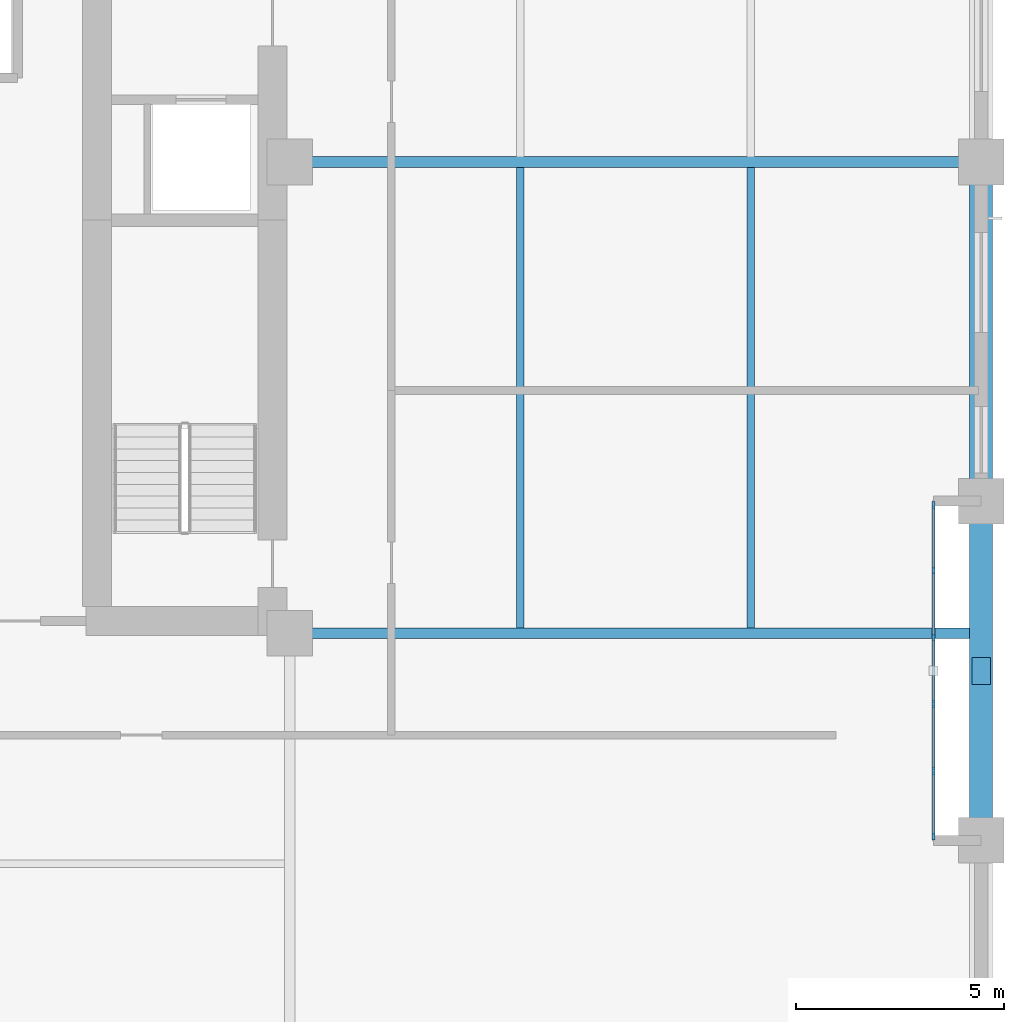
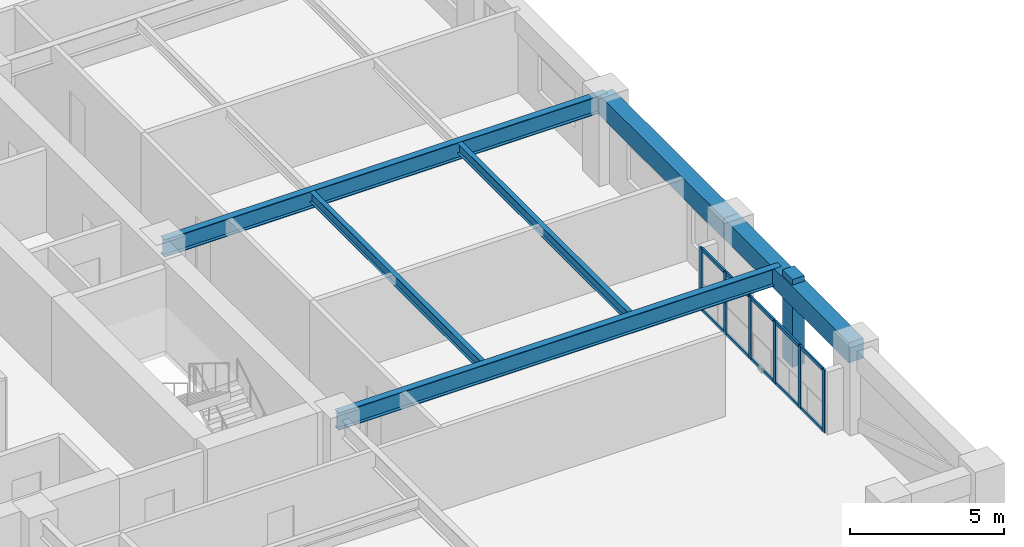
# One storey, part 2 of 13: 17 members, 6 beams, 1 element without a shape of its own.
"""IFC4 building model written with IfcOpenShell, lengths in metres."""

from ifc_helpers import new_model, si_unit, direction, frame, origin, origin_2d, place, context, subcontext, project, spatial, rectangle, i_section, extrude, material, layer, layer_set, material_profile, profile_set, type_object, element, aggregate, save


model = new_model("IFC4")

# Units and contexts
model_context = context("Model", 3, precision=1e-05, world=origin(), true_north=direction((0.0, 1.0)))
body_context = subcontext(model_context, "Body", "Model", "MODEL_VIEW")
ifc_project = project(units=[si_unit("LENGTHUNIT", "METRE"), si_unit("AREAUNIT", "SQUARE_METRE"), si_unit("VOLUMEUNIT", "CUBIC_METRE"), si_unit("PLANEANGLEUNIT", "RADIAN"), si_unit("MASSUNIT", "GRAM", prefix="KILO")], contexts=[model_context])

# Site, building, storey
site_placement = place(None, origin())
site = spatial("IfcSite", under=ifc_project, at=site_placement, CompositionType="ELEMENT")
building_placement = place(site_placement, origin())
building = spatial("IfcBuilding", under=site, at=building_placement, Name="Nhamokura Convention Tower", CompositionType="ELEMENT")
storey_placement = place(building_placement, frame((0.0, 0.0, 92.75)))
storey = spatial("IfcBuildingStorey", under=building, at=storey_placement, Name="L22", CompositionType="ELEMENT", Elevation=92.75)

# Member
ifc_material_1 = material(Name="Bronze-pigmented precast concrete C45/55", Category="concrete")
ifc_material_profile_1 = material_profile(ifc_material_1, rectangle(XDim=0.449951171875, YDim=0.64990234375, at=origin_2d()))
ifc_profile_set_1 = profile_set([ifc_material_profile_1], Name="Bronze-pigmented precast concrete C45/55")
member_type_1 = type_object("IfcMemberType", Name="BronzePilaster_650", PredefinedType="USERDEFINED", material=ifc_profile_set_1)
member_1_placement = place(storey_placement, frame((60.0, 19.75, 0.0), z_axis=(0.0, 0.0, 1.0), x_axis=(1.0, 0.0, 0.0)))
element("IfcMember", 1, at=member_1_placement, inside=storey, type_object=member_type_1, Name="L22 Engaged Frame Pilaster EAST 1", ObjectType="PILASTER_TRIM", PredefinedType="USERDEFINED", context=body_context, shape_type="SweptSolid", body=[
    extrude(rectangle(XDim=0.449951171875, YDim=0.64990234375, at=origin_2d()), origin(), (0.0, 0.0, 1.0), 3.5),
])

# Curtain wall, members
ifc_material_2 = material(Name="Anodised bronze aluminium AA6063-T6", Category="aluminium")
ifc_layer = layer(ifc_material_2, 0.1650390625)
ifc_layer_set = layer_set([ifc_layer], Name="CWSystem_ScaleSlot_Zone1")
curtain_wall_type = type_object("IfcCurtainWallType", Name="CWSystem_ScaleSlot_Zone1", PredefinedType="NOTDEFINED", material=ifc_layer_set)
curtain_wall_placement = place(storey_placement, origin())
curtain_wall = element("IfcCurtainWall", 2, at=curtain_wall_placement, inside=storey, type_object=curtain_wall_type, Name="L22 Curtain Wall ENV-L22-SLOT-E1", PredefinedType="NOTDEFINED")
ifc_material_3 = material(Name="Anodised bronze aluminium AA6063-T6", Category="aluminium")
ifc_material_profile_2 = material_profile(ifc_material_3, rectangle(XDim=0.06494140625, YDim=0.1650390625, at=origin_2d()))
ifc_profile_set_2 = profile_set([ifc_material_profile_2], Name="Anodised bronze aluminium AA6063-T6")
member_type_2 = type_object("IfcMemberType", Name="CWMullion_3", PredefinedType="MULLION", material=ifc_profile_set_2)
member_2_placement = place(storey_placement, frame((58.85009765625, 23.74072265625, 0.0), z_axis=(0.0, 0.0, 1.0), x_axis=(1.0, 0.0, 0.0)))
member_2 = element("IfcMember", 3, at=member_2_placement, type_object=member_type_2, Name="CW-03 mullion 1", PredefinedType="MULLION", context=body_context, shape_type="SweptSolid", body=[
    extrude(rectangle(XDim=0.06494140625, YDim=0.1650390625, at=origin_2d()), origin(), (0.0, 0.0, 1.0), 2.47998046875),
])
member_3_placement = place(storey_placement, frame((58.85009765625, 22.1640625, 0.0), z_axis=(0.0, 0.0, 1.0), x_axis=(1.0, 0.0, 0.0)))
member_3 = element("IfcMember", 4, at=member_3_placement, type_object=member_type_2, Name="CW-03 mullion 2", PredefinedType="MULLION", context=body_context, shape_type="SweptSolid", body=[
    extrude(rectangle(XDim=0.06494140625, YDim=0.1650390625, at=origin_2d()), origin(), (0.0, 0.0, 1.0), 2.47998046875),
])
member_4_placement = place(storey_placement, frame((58.85009765625, 20.5546875, 0.0), z_axis=(0.0, 0.0, 1.0), x_axis=(1.0, 0.0, 0.0)))
member_4 = element("IfcMember", 5, at=member_4_placement, type_object=member_type_2, Name="CW-03 mullion 3", PredefinedType="MULLION", context=body_context, shape_type="SweptSolid", body=[
    extrude(rectangle(XDim=0.06494140625, YDim=0.1650390625, at=origin_2d()), origin(), (0.0, 0.0, 1.0), 2.47998046875),
])
member_5_placement = place(storey_placement, frame((58.85009765625, 18.9453125, 0.0), z_axis=(0.0, 0.0, 1.0), x_axis=(1.0, 0.0, 0.0)))
member_5 = element("IfcMember", 6, at=member_5_placement, type_object=member_type_2, Name="CW-03 mullion 4", PredefinedType="MULLION", context=body_context, shape_type="SweptSolid", body=[
    extrude(rectangle(XDim=0.06494140625, YDim=0.1650390625, at=origin_2d()), origin(), (0.0, 0.0, 1.0), 2.47998046875),
])
member_6_placement = place(storey_placement, frame((58.85009765625, 17.3359375, 0.0), z_axis=(0.0, 0.0, 1.0), x_axis=(1.0, 0.0, 0.0)))
member_6 = element("IfcMember", 7, at=member_6_placement, type_object=member_type_2, Name="CW-03 mullion 5", PredefinedType="MULLION", context=body_context, shape_type="SweptSolid", body=[
    extrude(rectangle(XDim=0.06494140625, YDim=0.1650390625, at=origin_2d()), origin(), (0.0, 0.0, 1.0), 2.47998046875),
])
member_7_placement = place(storey_placement, frame((58.85009765625, 15.75927734375, 0.0), z_axis=(0.0, 0.0, 1.0), x_axis=(1.0, 0.0, 0.0)))
member_7 = element("IfcMember", 8, at=member_7_placement, type_object=member_type_2, Name="CW-03 mullion 6", PredefinedType="MULLION", context=body_context, shape_type="SweptSolid", body=[
    extrude(rectangle(XDim=0.06494140625, YDim=0.1650390625, at=origin_2d()), origin(), (0.0, 0.0, 1.0), 2.47998046875),
])
ifc_material_4 = material(Name="Anodised bronze aluminium AA6063-T6", Category="aluminium")
ifc_material_profile_3 = material_profile(ifc_material_4, rectangle(XDim=0.06494140625, YDim=0.139892578125, at=origin_2d()))
ifc_profile_set_3 = profile_set([ifc_material_profile_3], Name="Anodised bronze aluminium AA6063-T6")
member_type_3 = type_object("IfcMemberType", Name="CWTransom_3", PredefinedType="USERDEFINED", material=ifc_profile_set_3)
member_8_placement = place(storey_placement, frame((58.85009765625, 23.708251953125, 0.032470703125), z_axis=(0.0, -1.0, 0.0), x_axis=(1.0, 0.0, 0.0)))
member_8 = element("IfcMember", 9, at=member_8_placement, type_object=member_type_3, Name="CW-03 transom 1.1", ObjectType="TRANSOM", PredefinedType="USERDEFINED", context=body_context, shape_type="SweptSolid", body=[
    extrude(rectangle(XDim=0.06494140625, YDim=0.139892578125, at=origin_2d()), origin(), (0.0, 0.0, 1.0), 1.51171875),
])
member_9_placement = place(storey_placement, frame((58.85009765625, 23.708251953125, 2.447509765625), z_axis=(0.0, -1.0, 0.0), x_axis=(1.0, 0.0, 0.0)))
member_9 = element("IfcMember", 10, at=member_9_placement, type_object=member_type_3, Name="CW-03 transom 1.2", ObjectType="TRANSOM", PredefinedType="USERDEFINED", context=body_context, shape_type="SweptSolid", body=[
    extrude(rectangle(XDim=0.06494140625, YDim=0.139892578125, at=origin_2d()), origin(), (0.0, 0.0, 1.0), 1.51171875),
])
member_10_placement = place(storey_placement, frame((58.85009765625, 22.131591796875, 0.032470703125), z_axis=(0.0, -1.0, 0.0), x_axis=(1.0, 0.0, 0.0)))
member_10 = element("IfcMember", 11, at=member_10_placement, type_object=member_type_3, Name="CW-03 transom 2.1", ObjectType="TRANSOM", PredefinedType="USERDEFINED", context=body_context, shape_type="SweptSolid", body=[
    extrude(rectangle(XDim=0.06494140625, YDim=0.139892578125, at=origin_2d()), origin(), (0.0, 0.0, 1.0), 1.54443359375),
])
member_11_placement = place(storey_placement, frame((58.85009765625, 22.131591796875, 2.447509765625), z_axis=(0.0, -1.0, 0.0), x_axis=(1.0, 0.0, 0.0)))
member_11 = element("IfcMember", 12, at=member_11_placement, type_object=member_type_3, Name="CW-03 transom 2.2", ObjectType="TRANSOM", PredefinedType="USERDEFINED", context=body_context, shape_type="SweptSolid", body=[
    extrude(rectangle(XDim=0.06494140625, YDim=0.139892578125, at=origin_2d()), origin(), (0.0, 0.0, 1.0), 1.54443359375),
])
member_12_placement = place(storey_placement, frame((58.85009765625, 20.522216796875, 0.032470703125), z_axis=(0.0, -1.0, 0.0), x_axis=(1.0, 0.0, 0.0)))
member_12 = element("IfcMember", 13, at=member_12_placement, type_object=member_type_3, Name="CW-03 transom 3.1", ObjectType="TRANSOM", PredefinedType="USERDEFINED", context=body_context, shape_type="SweptSolid", body=[
    extrude(rectangle(XDim=0.06494140625, YDim=0.139892578125, at=origin_2d()), origin(), (0.0, 0.0, 1.0), 1.54443359375),
])
member_13_placement = place(storey_placement, frame((58.85009765625, 20.522216796875, 2.447509765625), z_axis=(0.0, -1.0, 0.0), x_axis=(1.0, 0.0, 0.0)))
member_13 = element("IfcMember", 14, at=member_13_placement, type_object=member_type_3, Name="CW-03 transom 3.2", ObjectType="TRANSOM", PredefinedType="USERDEFINED", context=body_context, shape_type="SweptSolid", body=[
    extrude(rectangle(XDim=0.06494140625, YDim=0.139892578125, at=origin_2d()), origin(), (0.0, 0.0, 1.0), 1.54443359375),
])
member_14_placement = place(storey_placement, frame((58.85009765625, 18.912841796875, 0.032470703125), z_axis=(0.0, -1.0, 0.0), x_axis=(1.0, 0.0, 0.0)))
member_14 = element("IfcMember", 15, at=member_14_placement, type_object=member_type_3, Name="CW-03 transom 4.1", ObjectType="TRANSOM", PredefinedType="USERDEFINED", context=body_context, shape_type="SweptSolid", body=[
    extrude(rectangle(XDim=0.06494140625, YDim=0.139892578125, at=origin_2d()), origin(), (0.0, 0.0, 1.0), 1.54443359375),
])
member_15_placement = place(storey_placement, frame((58.85009765625, 18.912841796875, 2.447509765625), z_axis=(0.0, -1.0, 0.0), x_axis=(1.0, 0.0, 0.0)))
member_15 = element("IfcMember", 16, at=member_15_placement, type_object=member_type_3, Name="CW-03 transom 4.2", ObjectType="TRANSOM", PredefinedType="USERDEFINED", context=body_context, shape_type="SweptSolid", body=[
    extrude(rectangle(XDim=0.06494140625, YDim=0.139892578125, at=origin_2d()), origin(), (0.0, 0.0, 1.0), 1.54443359375),
])
member_16_placement = place(storey_placement, frame((58.85009765625, 17.303466796875, 0.032470703125), z_axis=(0.0, -1.0, 0.0), x_axis=(1.0, 0.0, 0.0)))
member_16 = element("IfcMember", 17, at=member_16_placement, type_object=member_type_3, Name="CW-03 transom 5.1", ObjectType="TRANSOM", PredefinedType="USERDEFINED", context=body_context, shape_type="SweptSolid", body=[
    extrude(rectangle(XDim=0.06494140625, YDim=0.139892578125, at=origin_2d()), origin(), (0.0, 0.0, 1.0), 1.51171875),
])
member_17_placement = place(storey_placement, frame((58.85009765625, 17.303466796875, 2.447509765625), z_axis=(0.0, -1.0, 0.0), x_axis=(1.0, 0.0, 0.0)))
member_17 = element("IfcMember", 18, at=member_17_placement, type_object=member_type_3, Name="CW-03 transom 5.2", ObjectType="TRANSOM", PredefinedType="USERDEFINED", context=body_context, shape_type="SweptSolid", body=[
    extrude(rectangle(XDim=0.06494140625, YDim=0.139892578125, at=origin_2d()), origin(), (0.0, 0.0, 1.0), 1.51171875),
])
aggregate(curtain_wall, [member_2, member_3, member_4, member_5, member_6, member_7, member_8, member_9, member_10, member_11, member_12, member_13, member_14, member_15, member_16, member_17])

# Beams
ifc_material_5 = material(Name="Steel ASTM A992 Gr 50", Category="steel")
ifc_material_profile_4 = material_profile(ifc_material_5, i_section(OverallWidth=0.178955078125, OverallDepth=0.409912109375, WebThickness=0.0087890625, FlangeThickness=0.014404296875, at=origin_2d()))
ifc_profile_set_4 = profile_set([ifc_material_profile_4], Name="Steel ASTM A992 Gr 50")
beam_type_1 = type_object("IfcBeamType", Name="FloorJoist_W410X67", PredefinedType="JOIST", material=ifc_profile_set_4)
for number, where, z_axis, x_axis, name in (
    (19, (48.89990234375, 20.77587890625, 3.074951171875), (0.0, 1.0, 0.0), (-1.0, 0.0, 0.0), "L22 Composite Floor Joist E1A"),
    (20, (54.449951171875, 20.77587890625, 3.074951171875), (0.0, 1.0, 0.0), (-1.0, 0.0, 0.0), "L22 Composite Floor Joist E2A"),
):
    element("IfcBeam", number, at=place(storey_placement, frame(where, z_axis=z_axis, x_axis=x_axis)), inside=storey, type_object=beam_type_1, Name=name, PredefinedType="JOIST", context=body_context, shape_type="SweptSolid", body=[
        extrude(i_section(OverallWidth=0.178955078125, OverallDepth=0.409912109375, WebThickness=0.0087890625, FlangeThickness=0.014404296875, at=origin_2d()), origin(), (0.0, 0.0, 1.0), 11.09814453125),
    ])
ifc_material_6 = material(Name="Steel ASTM A992 Gr 50", Category="steel")
ifc_material_profile_5 = material_profile(ifc_material_6, i_section(OverallWidth=0.256103515625, OverallDepth=0.693115234375, WebThickness=0.014404296875, FlangeThickness=0.023681640625, at=origin_2d()))
ifc_profile_set_5 = profile_set([ifc_material_profile_5], Name="Steel ASTM A992 Gr 50")
beam_type_2 = type_object("IfcBeamType", Name="PrimaryGirder_W690X170", PredefinedType="BEAM", material=ifc_profile_set_5)
for number, where, z_axis, x_axis, name in (
    (21, (43.35009765625, 20.64990234375, 2.93359375), (1.0, 0.0, 0.0), (0.0, 1.0, 0.0), "L22 Primary Floor Girder PG-E1"),
    (22, (43.35009765625, 32.0, 2.93359375), (1.0, 0.0, 0.0), (0.0, 1.0, 0.0), "L22 Primary Floor Girder PG-E2"),
):
    element("IfcBeam", number, at=place(storey_placement, frame(where, z_axis=z_axis, x_axis=x_axis)), inside=storey, type_object=beam_type_2, Name=name, PredefinedType="BEAM", context=body_context, shape_type="SweptSolid", body=[
        extrude(i_section(OverallWidth=0.256103515625, OverallDepth=0.693115234375, WebThickness=0.014404296875, FlangeThickness=0.023681640625, at=origin_2d()), origin(), (0.0, 0.0, 1.0), 16.64990234375),
    ])
ifc_material_7 = material(Name="Concrete C50/60", Category="concrete")
ifc_material_profile_6 = material_profile(ifc_material_7, rectangle(XDim=0.550048828125, YDim=0.800048828125, at=origin_2d()))
ifc_profile_set_6 = profile_set([ifc_material_profile_6], Name="Concrete C50/60")
beam_type_3 = type_object("IfcBeamType", Name="TubeSpandrel_800", PredefinedType="SPANDREL", material=ifc_profile_set_6)
beam_1_placement = place(storey_placement, frame((60.0, 15.666748046875, 2.8798828125), z_axis=(0.0, 1.0, 0.0), x_axis=(-1.0, 0.0, 0.0)))
element("IfcBeam", 23, at=beam_1_placement, inside=storey, type_object=beam_type_3, Name="L22 Perimeter Spandrel EAST 2", PredefinedType="SPANDREL", context=body_context, shape_type="SweptSolid", body=[
    extrude(rectangle(XDim=0.550048828125, YDim=0.800048828125, at=origin_2d()), origin(), (0.0, 0.0, 1.0), 8.16650390625),
])
beam_2_placement = place(storey_placement, frame((60.0, 23.833251953125, 2.8798828125), z_axis=(0.0, 1.0, 0.0), x_axis=(-1.0, 0.0, 0.0)))
element("IfcBeam", 24, at=beam_2_placement, inside=storey, type_object=beam_type_3, Name="L22 Perimeter Spandrel EAST 3", PredefinedType="SPANDREL", context=body_context, shape_type="SweptSolid", body=[
    extrude(rectangle(XDim=0.550048828125, YDim=0.800048828125, at=origin_2d()), origin(), (0.0, 0.0, 1.0), 8.166748046875),
])

save(model, "model.ifc")
